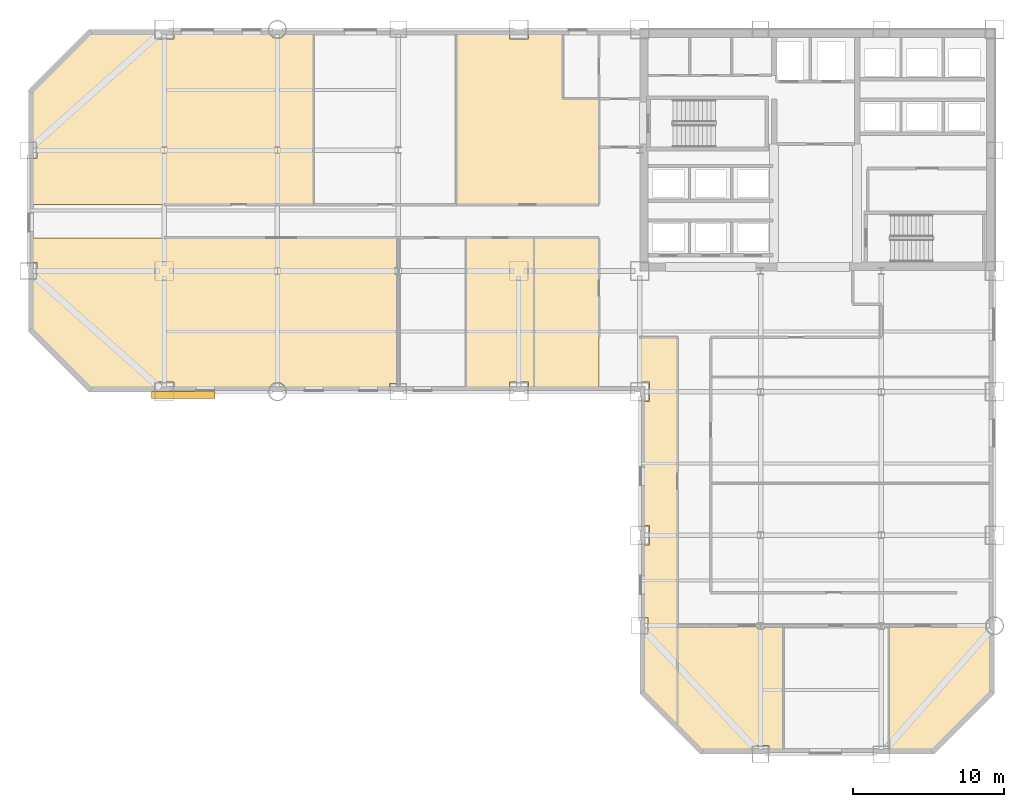
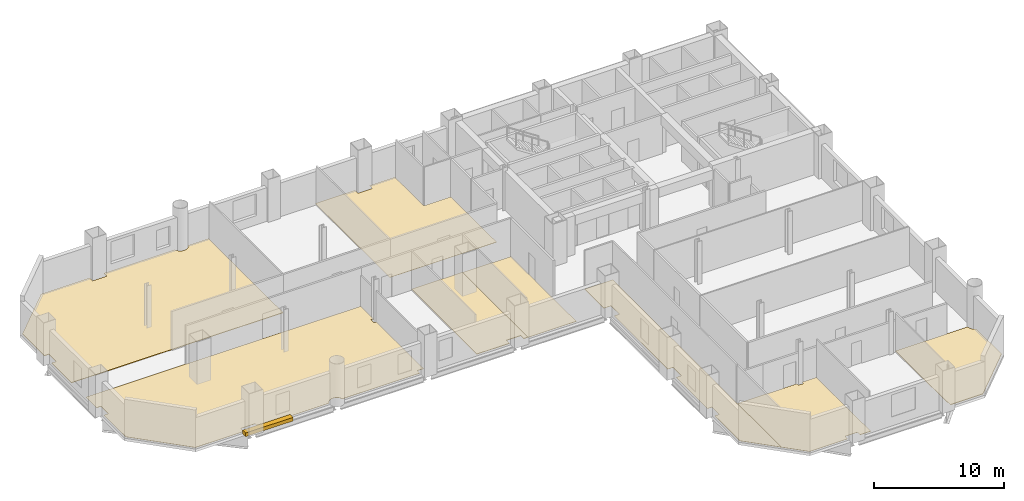
# One storey, part 8 of 9: 8 coverings, 1 shading device.
"""IFC4 building model written with IfcOpenShell, lengths in metres."""

from ifc_helpers import new_model, si_unit, direction, frame, origin, origin_2d, place, context, subcontext, project, spatial, polyline, rectangle, outline, extrude, material, layer, layer_set, type_object, element, save


model = new_model("IFC4")

# Units and contexts
model_context = context("Model", 3, precision=1e-05, world=origin(), true_north=direction((0.0, 1.0)))
body_context = subcontext(model_context, "Body", "Model", "MODEL_VIEW")
ifc_project = project(units=[si_unit("LENGTHUNIT", "METRE"), si_unit("AREAUNIT", "SQUARE_METRE"), si_unit("VOLUMEUNIT", "CUBIC_METRE"), si_unit("PLANEANGLEUNIT", "RADIAN"), si_unit("MASSUNIT", "GRAM", prefix="KILO")], contexts=[model_context])

# Site, building, storey
site_placement = place(None, origin())
site = spatial("IfcSite", under=ifc_project, at=site_placement, CompositionType="ELEMENT")
building_placement = place(site_placement, origin())
building = spatial("IfcBuilding", under=site, at=building_placement, Name="Qianrong Seaharbour Tower", CompositionType="ELEMENT")
storey_placement = place(building_placement, frame((0.0, 0.0, 104.199951171875)))
storey = spatial("IfcBuildingStorey", under=building, at=storey_placement, Name="L25", CompositionType="ELEMENT", Elevation=104.199951171875)

# Coverings
ifc_material_1 = material(Name="Acoustic modular carpet tile flooring")
ifc_layer_1 = layer(ifc_material_1, 0.02001953125)
ifc_layer_set_1 = layer_set([ifc_layer_1], Name="Acoustic modular carpet tile flooring")
covering_type_1 = type_object("IfcCoveringType", Name="COV-FLOOR-CARPET-20", PredefinedType="FLOORING", material=ifc_layer_set_1)
covering_1_placement = place(storey_placement, origin())
element("IfcCovering", 1, at=covering_1_placement, inside=storey, type_object=covering_type_1, Name="L25 Boardroom 2 Finish Flooring", PredefinedType="FLOORING", context=body_context, shape_type="SweptSolid", body=[
    extrude(outline(polyline([(28.35009765625, 51.824951171875), (31.864990234375, 51.824951171875), (31.864990234375, 51.364990234375), (33.135009765625, 51.364990234375), (33.135009765625, 51.824951171875), (35.39990234375, 51.824951171875), (35.39990234375, 47.39990234375), (37.800048828125, 47.39990234375), (37.800048828125, 40.39990234375), (28.35009765625, 40.39990234375), (28.35009765625, 51.824951171875)])), origin(), (0.0, 0.0, 1.0), 0.02001953125),
])
covering_2_placement = place(storey_placement, origin())
element("IfcCovering", 2, at=covering_2_placement, inside=storey, type_object=covering_type_1, Name="L25 Maritime Tribunal Hearing Hall Finish Flooring", PredefinedType="FLOORING", context=body_context, shape_type="SweptSolid", body=[
    extrude(outline(polyline([(17.081298828125, 28.175048828125), (17.063720703125, 28.2333984375), (17.007080078125, 28.3388671875), (16.931396484375, 28.431396484375), (16.8388671875, 28.507080078125), (16.7333984375, 28.563720703125), (16.618896484375, 28.598388671875), (16.5, 28.610107421875), (16.381103515625, 28.598388671875), (16.2666015625, 28.563720703125), (16.1611328125, 28.507080078125), (16.068603515625, 28.431396484375), (15.992919921875, 28.3388671875), (15.936279296875, 28.2333984375), (15.918701171875, 28.175048828125), (9.635009765625, 28.175048828125), (9.635009765625, 28.635009765625), (8.364990234375, 28.635009765625), (8.364990234375, 28.175048828125), (4.072509765625, 28.175048828125), (0.175048828125, 32.072509765625), (0.175048828125, 35.43994140625), (0.56005859375, 35.43994140625), (0.56005859375, 36.56005859375), (0.175048828125, 36.56005859375), (0.175048828125, 38.199951171875), (24.5, 38.199951171875), (24.5, 36.22412109375), (24.28662109375, 36.22412109375), (24.28662109375, 35.77587890625), (24.5, 35.77587890625), (24.5, 28.56005859375), (23.93994140625, 28.56005859375), (23.93994140625, 28.175048828125), (17.081298828125, 28.175048828125)])), origin(), (0.0, 0.0, 1.0), 0.02001953125),
])
covering_3_placement = place(storey_placement, origin())
element("IfcCovering", 3, at=covering_3_placement, inside=storey, type_object=covering_type_1, Name="L25 Focus Room 3 Finish Flooring", PredefinedType="FLOORING", context=body_context, shape_type="SweptSolid", body=[
    extrude(outline(polyline([(37.800048828125, 28.175048828125), (33.5, 28.175048828125), (33.5, 38.199951171875), (37.800048828125, 38.199951171875), (37.800048828125, 28.175048828125)])), origin(), (0.0, 0.0, 1.0), 0.02001953125),
])
covering_4_placement = place(storey_placement, origin())
element("IfcCovering", 4, at=covering_4_placement, inside=storey, type_object=covering_type_1, Name="L25 Wet Pantry Finish Flooring", PredefinedType="FLOORING", context=body_context, shape_type="SweptSolid", body=[
    extrude(outline(polyline([(43.0, 5.74755859375), (40.675048828125, 8.072509765625), (40.675048828125, 11.93994140625), (41.06005859375, 11.93994140625), (41.06005859375, 13.06005859375), (40.675048828125, 13.06005859375), (40.675048828125, 17.864990234375), (41.135009765625, 17.864990234375), (41.135009765625, 19.135009765625), (40.675048828125, 19.135009765625), (40.675048828125, 27.364990234375), (41.135009765625, 27.364990234375), (41.135009765625, 28.635009765625), (40.5, 28.635009765625), (40.5, 31.60009765625), (43.0, 31.60009765625), (43.0, 5.74755859375)])), origin(), (0.0, 0.0, 1.0), 0.02001953125),
])
covering_5_placement = place(storey_placement, origin())
element("IfcCovering", 5, at=covering_5_placement, inside=storey, type_object=covering_type_1, Name="L25 Mediation Meeting Room 1 Finish Flooring", PredefinedType="FLOORING", context=body_context, shape_type="SweptSolid", body=[
    extrude(outline(polyline([(50.0, 4.175048828125), (49.06005859375, 4.175048828125), (49.06005859375, 4.56005859375), (47.93994140625, 4.56005859375), (47.93994140625, 4.175048828125), (44.572509765625, 4.175048828125), (43.0, 5.74755859375), (43.0, 12.5), (48.28662109375, 12.5), (48.28662109375, 12.27587890625), (48.71337890625, 12.27587890625), (48.71337890625, 12.5), (50.0, 12.5), (50.0, 4.175048828125)])), origin(), (0.0, 0.0, 1.0), 0.02001953125),
])
ifc_material_2 = material(Name="Calcium-sulphate raised access floor tile")
ifc_layer_2 = layer(ifc_material_2, 0.044921875)
ifc_layer_set_2 = layer_set([ifc_layer_2], Name="Calcium-sulphate raised access floor tile")
covering_type_2 = type_object("IfcCoveringType", Name="COV-FLOOR-RAISED-45", PredefinedType="FLOORING", material=ifc_layer_set_2)
covering_6_placement = place(storey_placement, origin())
element("IfcCovering", 6, at=covering_6_placement, inside=storey, type_object=covering_type_2, Name="L25 Legal Support Open-Plan Office Finish Flooring", PredefinedType="FLOORING", context=body_context, shape_type="SweptSolid", body=[
    extrude(outline(polyline([(0.175048828125, 43.43994140625), (0.56005859375, 43.43994140625), (0.56005859375, 44.56005859375), (0.175048828125, 44.56005859375), (0.175048828125, 47.927490234375), (4.072509765625, 51.824951171875), (8.364990234375, 51.824951171875), (8.364990234375, 51.364990234375), (9.635009765625, 51.364990234375), (9.635009765625, 51.824951171875), (15.918701171875, 51.824951171875), (15.936279296875, 51.7666015625), (15.992919921875, 51.6611328125), (16.068603515625, 51.568603515625), (16.1611328125, 51.492919921875), (16.2666015625, 51.436279296875), (16.381103515625, 51.401611328125), (16.5, 51.389892578125), (16.618896484375, 51.401611328125), (16.7333984375, 51.436279296875), (16.8388671875, 51.492919921875), (16.931396484375, 51.568603515625), (17.007080078125, 51.6611328125), (17.063720703125, 51.7666015625), (17.081298828125, 51.824951171875), (18.89990234375, 51.824951171875), (18.89990234375, 40.39990234375), (0.175048828125, 40.39990234375), (0.175048828125, 43.43994140625)])), origin(), (0.0, 0.0, 1.0), 0.045166015625),
])
covering_7_placement = place(storey_placement, origin())
element("IfcCovering", 7, at=covering_7_placement, inside=storey, type_object=covering_type_2, Name="L25 Partner Chambers Office 2 Finish Flooring", PredefinedType="FLOORING", context=body_context, shape_type="SweptSolid", body=[
    extrude(outline(polyline([(33.5, 28.175048828125), (33.135009765625, 28.175048828125), (33.135009765625, 28.635009765625), (31.864990234375, 28.635009765625), (31.864990234375, 28.175048828125), (29.0, 28.175048828125), (29.0, 38.199951171875), (33.5, 38.199951171875), (33.5, 28.175048828125)])), origin(), (0.0, 0.0, 1.0), 0.045166015625),
])
covering_8_placement = place(storey_placement, origin())
element("IfcCovering", 8, at=covering_8_placement, inside=storey, type_object=covering_type_2, Name="L25 Senior Partner Office 3 Finish Flooring", PredefinedType="FLOORING", context=body_context, shape_type="SweptSolid", body=[
    extrude(outline(polyline([(63.824951171875, 8.072509765625), (59.927490234375, 4.175048828125), (57.06005859375, 4.175048828125), (57.06005859375, 4.56005859375), (57.0, 4.56005859375), (57.0, 12.5), (63.389892578125, 12.5), (63.401611328125, 12.381103515625), (63.436279296875, 12.2666015625), (63.492919921875, 12.1611328125), (63.568603515625, 12.068603515625), (63.6611328125, 11.992919921875), (63.7666015625, 11.936279296875), (63.824951171875, 11.918701171875), (63.824951171875, 8.072509765625)])), origin(), (0.0, 0.0, 1.0), 0.045166015625),
])

# Shading device
ifc_material_3 = material(Name="White architectural precast concrete C45/55", Category="concrete")
shading_device_type = type_object("IfcShadingDeviceType", Name="SHD-SUNSHADE-WHITE-320", PredefinedType="AWNING", material=ifc_material_3)
shading_device_placement = place(storey_placement, frame((10.262451171875, 27.780029296875, -0.02001953125), z_axis=(0.0, 0.0, 1.0), x_axis=(1.0, 0.0, 0.0)))
element("IfcShadingDevice", 9, at=shading_device_placement, inside=storey, type_object=shading_device_type, Name="L25 Climbing White Precast Ribbon Canopy Fin", PredefinedType="AWNING", context=body_context, shape_type="SweptSolid", body=[
    extrude(rectangle(XDim=4.199951171875, YDim=0.4599609375, at=origin_2d()), origin(), (0.0, 0.0, 1.0), 0.340087890625),
])

save(model, "model.ifc")
